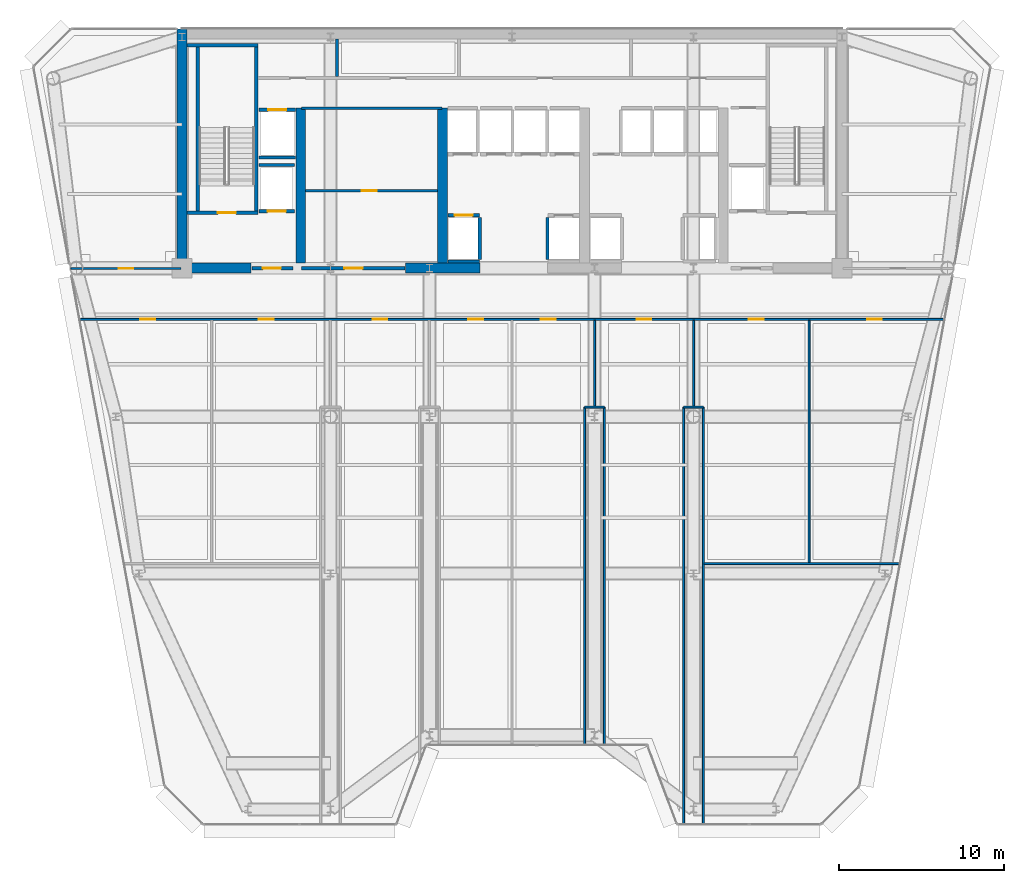
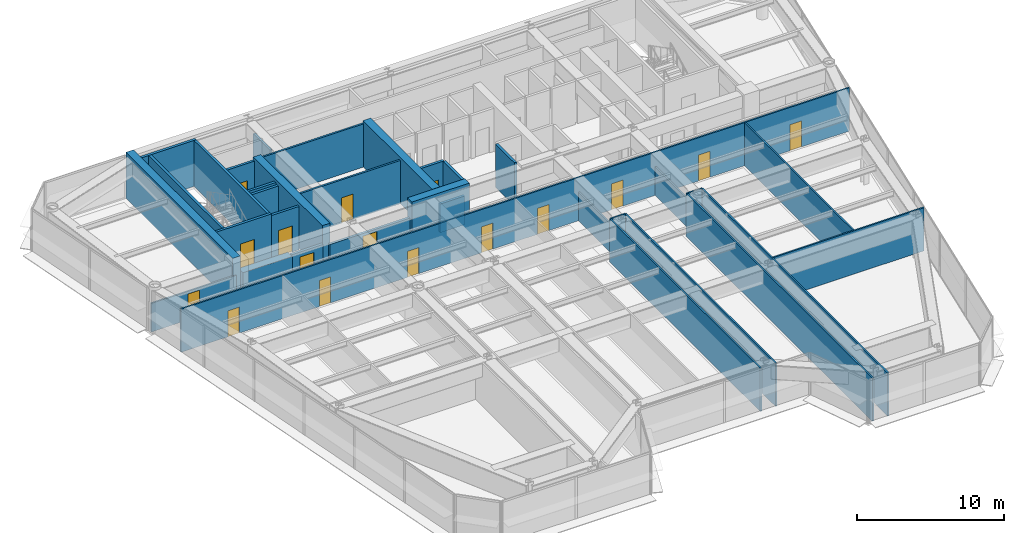
# One storey, part 11 of 17: 34 walls, 16 doors, 16 openings.
"""IFC4 building model written with IfcOpenShell, lengths in metres."""

from ifc_helpers import new_model, si_unit, direction, frame, frame_2d, origin, place, context, subcontext, project, spatial, rectangle, extrude, source, transform, mapped, material, layer, layer_set, type_object, element, fill, save


model = new_model("IFC4")

# Units and contexts
model_context = context("Model", 3, precision=1e-05, world=origin(), true_north=direction((0.0, 1.0)))
body_context = subcontext(model_context, "Body", "Model", "MODEL_VIEW")
ifc_project = project(units=[si_unit("LENGTHUNIT", "METRE"), si_unit("AREAUNIT", "SQUARE_METRE"), si_unit("VOLUMEUNIT", "CUBIC_METRE"), si_unit("PLANEANGLEUNIT", "RADIAN"), si_unit("MASSUNIT", "GRAM", prefix="KILO")], contexts=[model_context])

# Site, building, storey
site_placement = place(None, origin())
site = spatial("IfcSite", under=ifc_project, at=site_placement, CompositionType="ELEMENT")
building_placement = place(site_placement, origin())
building = spatial("IfcBuilding", under=site, at=building_placement, Name="Vaeldorn Concourse Tower", CompositionType="ELEMENT")
storey_placement = place(building_placement, frame((0.0, 0.0, 176.60009765625)))
storey = spatial("IfcBuildingStorey", under=building, at=storey_placement, Name="L45", CompositionType="ELEMENT", Elevation=176.60009765625)

# Walls
ifc_material_1 = material(Name="Concrete C50/60", Category="concrete")
ifc_layer_1 = layer(ifc_material_1, 0.60009765625)
ifc_layer_set_1 = layer_set([ifc_layer_1], Name="Concrete C50/60")
wall_type_1 = type_object("IfcWallType", Name="WL-CORE-600", PredefinedType="SHEAR", material=ifc_layer_set_1)
wall_1_placement = place(storey_placement, frame((14.0, 36.5, 0.0), z_axis=(0.0, 0.0, 1.0), x_axis=(0.0, 1.0, 0.0)))
element("IfcWall", 1, at=wall_1_placement, inside=storey, type_object=wall_type_1, Name="Rear Core Shear Wall L45 W1", PredefinedType="SHEAR", context=body_context, shape_type="SweptSolid", body=[
    extrude(rectangle(XDim=14.5, YDim=0.60009765625, at=frame_2d((7.25, 0.0))), origin(), (0.0, 0.0, 1.0), 3.7998046875),
])
wall_2_placement = place(storey_placement, frame((14.320068359375, 36.5, 0.0), z_axis=(0.0, 0.0, 1.0), x_axis=(1.0, 0.0, 0.0)))
element("IfcWall", 2, at=wall_2_placement, inside=storey, type_object=wall_type_1, Name="Rear Core Shear Wall L45 S1", PredefinedType="SHEAR", context=body_context, shape_type="SweptSolid", body=[
    extrude(rectangle(XDim=3.8798828125, YDim=0.60009765625, at=frame_2d((1.93994140625, 0.0))), origin(), (0.0, 0.0, 1.0), 2.579833984375),
])
wall_3_placement = place(storey_placement, frame((27.550048828125, 36.5, 0.0), z_axis=(0.0, 0.0, 1.0), x_axis=(1.0, 0.0, 0.0)))
element("IfcWall", 3, at=wall_3_placement, inside=storey, type_object=wall_type_1, Name="Rear Core Shear Wall L45 S2", PredefinedType="SHEAR", context=body_context, shape_type="SweptSolid", body=[
    extrude(rectangle(XDim=4.5, YDim=0.60009765625, at=frame_2d((2.25, 0.0))), origin(), (0.0, 0.0, 1.0), 3.7998046875),
])
for number, where, z_axis, x_axis, name in (
    (4, (21.199951171875, 36.820068359375, 0.0), (0.0, 0.0, 1.0), (0.0, 1.0, 0.0), "Rear Core Shear Wall L45 M1"),
    (5, (29.800048828125, 36.820068359375, 0.0), (0.0, 0.0, 1.0), (0.0, 1.0, 0.0), "Rear Core Shear Wall L45 M2"),
):
    element("IfcWall", number, at=place(storey_placement, frame(where, z_axis=z_axis, x_axis=x_axis)), inside=storey, type_object=wall_type_1, Name=name, PredefinedType="SHEAR", context=body_context, shape_type="SweptSolid", body=[
        extrude(rectangle(XDim=9.3798828125, YDim=0.60009765625, at=frame_2d((4.68994140625, 0.0))), origin(), (0.0, 0.0, 1.0), 3.7998046875),
    ])

# Wall, openings, doors
ifc_material_2 = material(Name="Gypsum Board Partition", Category="gypsum")
ifc_layer_2 = layer(ifc_material_2, 0.1201171875)
ifc_layer_set_2 = layer_set([ifc_layer_2], Name="Gypsum Board Partition")
wall_type_2 = type_object("IfcWallType", Name="WL-PART-120", PredefinedType="PARTITIONING", material=ifc_layer_set_2)
wall_4_placement = place(storey_placement, frame((7.830810546875, 33.39990234375, 0.0), z_axis=(0.0, 0.0, 1.0), x_axis=(1.0, 0.0, 0.0)))
wall_4 = element("IfcWall", 6, at=wall_4_placement, inside=storey, type_object=wall_type_2, Name="Interior Wall PW-L45-C2S", PredefinedType="PARTITIONING", context=body_context, shape_type="SweptSolid", body=[
    extrude(rectangle(XDim=52.33837890625, YDim=0.1201171875, at=frame_2d((26.169189453125, 0.0))), origin(), (0.0, 0.0, 1.0), 3.579833984375),
])
opening_1_placement = place(wall_4_placement, frame((3.655029296875, 0.0, 0.0)))
opening_1 = element("IfcOpeningElement", 7, at=opening_1_placement, cuts=wall_4, Name="Opening D-03", PredefinedType="OPENING", context=body_context, shape_type="SweptSolid", body=[
    extrude(rectangle(XDim=0.89990234375, YDim=2.14990234375, at=frame_2d((0.449951171875, 1.074951171875))), frame((0.0, 0.070068359375, 0.0), z_axis=(0.0, -1.0, 0.0), x_axis=(1.0, 0.0, 0.0)), (0.0, 0.0, 1.0), 0.14013671875),
])
opening_2_placement = place(wall_4_placement, frame((10.819091796875, 0.0, 0.0)))
opening_2 = element("IfcOpeningElement", 8, at=opening_2_placement, cuts=wall_4, Name="Opening D-03", PredefinedType="OPENING", context=body_context, shape_type="SweptSolid", body=[
    extrude(rectangle(XDim=0.89990234375, YDim=2.14990234375, at=frame_2d((0.449951171875, 1.074951171875))), frame((0.0, 0.070068359375, 0.0), z_axis=(0.0, -1.0, 0.0), x_axis=(1.0, 0.0, 0.0)), (0.0, 0.0, 1.0), 0.14013671875),
])
opening_3_placement = place(wall_4_placement, frame((17.718994140625, 0.0, 0.0)))
opening_3 = element("IfcOpeningElement", 9, at=opening_3_placement, cuts=wall_4, Name="Opening D-03", PredefinedType="OPENING", context=body_context, shape_type="SweptSolid", body=[
    extrude(rectangle(XDim=0.89990234375, YDim=2.14990234375, at=frame_2d((0.449951171875, 1.074951171875))), frame((0.0, 0.070068359375, 0.0), z_axis=(0.0, -1.0, 0.0), x_axis=(1.0, 0.0, 0.0)), (0.0, 0.0, 1.0), 0.14013671875),
])
opening_4_placement = place(wall_4_placement, frame((23.51904296875, 0.0, 0.0)))
opening_4 = element("IfcOpeningElement", 10, at=opening_4_placement, cuts=wall_4, Name="Opening D-03", PredefinedType="OPENING", context=body_context, shape_type="SweptSolid", body=[
    extrude(rectangle(XDim=0.89990234375, YDim=2.14990234375, at=frame_2d((0.449951171875, 1.074951171875))), frame((0.0, 0.070068359375, 0.0), z_axis=(0.0, -1.0, 0.0), x_axis=(1.0, 0.0, 0.0)), (0.0, 0.0, 1.0), 0.14013671875),
])
opening_5_placement = place(wall_4_placement, frame((27.9189453125, 0.0, 0.0)))
opening_5 = element("IfcOpeningElement", 11, at=opening_5_placement, cuts=wall_4, Name="Opening D-03", PredefinedType="OPENING", context=body_context, shape_type="SweptSolid", body=[
    extrude(rectangle(XDim=0.89990234375, YDim=2.14990234375, at=frame_2d((0.449951171875, 1.074951171875))), frame((0.0, 0.070068359375, 0.0), z_axis=(0.0, -1.0, 0.0), x_axis=(1.0, 0.0, 0.0)), (0.0, 0.0, 1.0), 0.14013671875),
])
opening_6_placement = place(wall_4_placement, frame((33.718994140625, 0.0, 0.0)))
opening_6 = element("IfcOpeningElement", 12, at=opening_6_placement, cuts=wall_4, Name="Opening D-03", PredefinedType="OPENING", context=body_context, shape_type="SweptSolid", body=[
    extrude(rectangle(XDim=0.89990234375, YDim=2.14990234375, at=frame_2d((0.449951171875, 1.074951171875))), frame((0.0, 0.070068359375, 0.0), z_axis=(0.0, -1.0, 0.0), x_axis=(1.0, 0.0, 0.0)), (0.0, 0.0, 1.0), 0.14013671875),
])
opening_7_placement = place(wall_4_placement, frame((40.51904296875, 0.0, 0.0)))
opening_7 = element("IfcOpeningElement", 13, at=opening_7_placement, cuts=wall_4, Name="Opening D-03", PredefinedType="OPENING", context=body_context, shape_type="SweptSolid", body=[
    extrude(rectangle(XDim=0.89990234375, YDim=2.14990234375, at=frame_2d((0.449951171875, 1.074951171875))), frame((0.0, 0.070068359375, 0.0), z_axis=(0.0, -1.0, 0.0), x_axis=(1.0, 0.0, 0.0)), (0.0, 0.0, 1.0), 0.14013671875),
])
opening_8_placement = place(wall_4_placement, frame((47.68408203125, 0.0, 0.0)))
opening_8 = element("IfcOpeningElement", 14, at=opening_8_placement, cuts=wall_4, Name="Opening D-03", PredefinedType="OPENING", context=body_context, shape_type="SweptSolid", body=[
    extrude(rectangle(XDim=0.89990234375, YDim=2.14990234375, at=frame_2d((0.449951171875, 1.074951171875))), frame((0.0, 0.070068359375, 0.0), z_axis=(0.0, -1.0, 0.0), x_axis=(1.0, 0.0, 0.0)), (0.0, 0.0, 1.0), 0.14013671875),
])
ifc_material_3 = material(Name="Acoustic Bronze-Framed Glass Door", Category="glass")
door_type_1 = type_object("IfcDoorType", Name="DR-INT-900", OperationType="NOTDEFINED", PredefinedType="DOOR", material=ifc_material_3)
shared_shape_1 = source(origin(), body_context, "Body", "SweptSolid", [
    extrude(rectangle(XDim=0.89990234375, YDim=2.14990234375, at=frame_2d((0.449951171875, 1.074951171875))), frame((0.0, 0.02490234375, 0.0), z_axis=(0.0, -1.0, 0.0), x_axis=(1.0, 0.0, 0.0)), (0.0, 0.0, 1.0), 0.050048828125),
])
door_1_placement = place(opening_1_placement, origin())
door_1 = element("IfcDoor", 15, at=door_1_placement, inside=storey, type_object=door_type_1, Name="Interior Door DR-L45-SBR1", OperationType="SINGLE_SWING_LEFT", OverallHeight=2.14990234375, OverallWidth=0.89990234375, PredefinedType="DOOR", context=body_context, shape_type="MappedRepresentation", body=[
    mapped(shared_shape_1, transform((0.0, 0.0, 0.0), scale=1.0)),
])
fill(opening_1, door_1)
door_2_placement = place(opening_2_placement, origin())
door_2 = element("IfcDoor", 16, at=door_2_placement, inside=storey, type_object=door_type_1, Name="Interior Door DR-L45-SBR2", OperationType="SINGLE_SWING_RIGHT", OverallHeight=2.14990234375, OverallWidth=0.89990234375, PredefinedType="DOOR", context=body_context, shape_type="MappedRepresentation", body=[
    mapped(shared_shape_1, transform((0.0, 0.0, 0.0), scale=1.0)),
])
fill(opening_2, door_2)
door_3_placement = place(opening_3_placement, origin())
door_3 = element("IfcDoor", 17, at=door_3_placement, inside=storey, type_object=door_type_1, Name="Interior Door DR-L45-SBR3", OperationType="SINGLE_SWING_LEFT", OverallHeight=2.14990234375, OverallWidth=0.89990234375, PredefinedType="DOOR", context=body_context, shape_type="MappedRepresentation", body=[
    mapped(shared_shape_1, transform((0.0, 0.0, 0.0), scale=1.0)),
])
fill(opening_3, door_3)
door_4_placement = place(opening_4_placement, origin())
door_4 = element("IfcDoor", 18, at=door_4_placement, inside=storey, type_object=door_type_1, Name="Interior Door DR-L45-SBR4", OperationType="SINGLE_SWING_RIGHT", OverallHeight=2.14990234375, OverallWidth=0.89990234375, PredefinedType="DOOR", context=body_context, shape_type="MappedRepresentation", body=[
    mapped(shared_shape_1, transform((0.0, 0.0, 0.0), scale=1.0)),
])
fill(opening_4, door_4)
door_5_placement = place(opening_5_placement, origin())
door_5 = element("IfcDoor", 19, at=door_5_placement, inside=storey, type_object=door_type_1, Name="Interior Door DR-L45-SBR5", OperationType="SINGLE_SWING_LEFT", OverallHeight=2.14990234375, OverallWidth=0.89990234375, PredefinedType="DOOR", context=body_context, shape_type="MappedRepresentation", body=[
    mapped(shared_shape_1, transform((0.0, 0.0, 0.0), scale=1.0)),
])
fill(opening_5, door_5)
door_6_placement = place(opening_6_placement, origin())
door_6 = element("IfcDoor", 20, at=door_6_placement, inside=storey, type_object=door_type_1, Name="Interior Door DR-L45-SBR6", OperationType="SINGLE_SWING_RIGHT", OverallHeight=2.14990234375, OverallWidth=0.89990234375, PredefinedType="DOOR", context=body_context, shape_type="MappedRepresentation", body=[
    mapped(shared_shape_1, transform((0.0, 0.0, 0.0), scale=1.0)),
])
fill(opening_6, door_6)
door_7_placement = place(opening_7_placement, origin())
door_7 = element("IfcDoor", 21, at=door_7_placement, inside=storey, type_object=door_type_1, Name="Interior Door DR-L45-SBR7", OperationType="SINGLE_SWING_LEFT", OverallHeight=2.14990234375, OverallWidth=0.89990234375, PredefinedType="DOOR", context=body_context, shape_type="MappedRepresentation", body=[
    mapped(shared_shape_1, transform((0.0, 0.0, 0.0), scale=1.0)),
])
fill(opening_7, door_7)
door_8_placement = place(opening_8_placement, origin())
door_8 = element("IfcDoor", 22, at=door_8_placement, inside=storey, type_object=door_type_1, Name="Interior Door DR-L45-SBR8", OperationType="SINGLE_SWING_RIGHT", OverallHeight=2.14990234375, OverallWidth=0.89990234375, PredefinedType="DOOR", context=body_context, shape_type="MappedRepresentation", body=[
    mapped(shared_shape_1, transform((0.0, 0.0, 0.0), scale=1.0)),
])
fill(opening_8, door_8)

# Wall, opening, door
wall_5_placement = place(storey_placement, frame((7.2744140625, 36.47998046875, 0.0), z_axis=(0.0, 0.0, 1.0), x_axis=(1.0, 0.0, 0.0)))
wall_5 = element("IfcWall", 23, at=wall_5_placement, inside=storey, type_object=wall_type_2, Name="Interior Wall PW-L45-NWS", PredefinedType="PARTITIONING", context=body_context, shape_type="SweptSolid", body=[
    extrude(rectangle(XDim=6.66552734375, YDim=0.1201171875, at=frame_2d((3.332763671875, 0.0))), origin(), (0.0, 0.0, 1.0), 2.369873046875),
])
opening_9_placement = place(wall_5_placement, frame((2.883056640625, 0.0, 0.0)))
opening_9 = element("IfcOpeningElement", 24, at=opening_9_placement, cuts=wall_5, Name="Opening D-03", PredefinedType="OPENING", context=body_context, shape_type="SweptSolid", body=[
    extrude(rectangle(XDim=0.89990234375, YDim=2.14990234375, at=frame_2d((0.449951171875, 1.074951171875))), frame((0.0, 0.070068359375, 0.0), z_axis=(0.0, -1.0, 0.0), x_axis=(1.0, 0.0, 0.0)), (0.0, 0.0, 1.0), 0.14013671875),
])
door_9_placement = place(opening_9_placement, origin())
door_9 = element("IfcDoor", 25, at=door_9_placement, inside=storey, type_object=door_type_1, Name="Interior Door DR-L45-NWC", OperationType="SINGLE_SWING_LEFT", OverallHeight=2.14990234375, OverallWidth=0.89990234375, PredefinedType="DOOR", context=body_context, shape_type="MappedRepresentation", body=[
    mapped(shared_shape_1, transform((0.0, 0.0, 0.0), scale=1.0)),
])
fill(opening_9, door_9)

# Walls
wall_6_placement = place(storey_placement, frame((45.639892578125, 18.60009765625, 0.0), z_axis=(0.0, 0.0, 1.0), x_axis=(1.0, 0.0, 0.0)))
element("IfcWall", 26, at=wall_6_placement, inside=storey, type_object=wall_type_2, Name="Interior Wall PW-L45-FLE", PredefinedType="PARTITIONING", context=body_context, shape_type="SweptSolid", body=[
    extrude(rectangle(XDim=11.82958984375, YDim=0.1201171875, at=frame_2d((5.914794921875, 0.0))), origin(), (0.0, 0.0, 1.0), 3.579833984375),
])
for number, where, z_axis, x_axis, name in (
    (27, (38.39990234375, 7.639892578125, 0.0), (0.0, 0.0, 1.0), (0.0, 1.0, 0.0), "Interior Wall PW-L45-SB3W"),
    (28, (39.60009765625, 7.639892578125, 0.0), (0.0, 0.0, 1.0), (0.0, 1.0, 0.0), "Interior Wall PW-L45-SB3E"),
):
    element("IfcWall", number, at=place(storey_placement, frame(where, z_axis=z_axis, x_axis=x_axis)), inside=storey, type_object=wall_type_2, Name=name, PredefinedType="PARTITIONING", context=body_context, shape_type="SweptSolid", body=[
        extrude(rectangle(XDim=20.440185546875, YDim=0.1201171875, at=frame_2d((10.22021484375, 0.0))), origin(), (0.0, 0.0, 1.0), 3.579833984375),
    ])
wall_7_placement = place(storey_placement, frame((38.39990234375, 28.080078125, 0.0), z_axis=(0.0, 0.0, 1.0), x_axis=(1.0, 0.0, 0.0)))
element("IfcWall", 29, at=wall_7_placement, inside=storey, type_object=wall_type_2, Name="Interior Wall PW-L45-SB3N", PredefinedType="PARTITIONING", context=body_context, shape_type="SweptSolid", body=[
    extrude(rectangle(XDim=1.2001953125, YDim=0.1201171875, at=frame_2d((0.60009765625, 0.0))), origin(), (0.0, 0.0, 1.0), 3.579833984375),
])
wall_8_placement = place(storey_placement, frame((39.0, 28.139892578125, 0.0), z_axis=(0.0, 0.0, 1.0), x_axis=(0.0, 1.0, 0.0)))
element("IfcWall", 30, at=wall_8_placement, inside=storey, type_object=wall_type_2, Name="Interior Wall PW-L45-SBP3", PredefinedType="PARTITIONING", context=body_context, shape_type="SweptSolid", body=[
    extrude(rectangle(XDim=5.2001953125, YDim=0.1201171875, at=frame_2d((2.60009765625, 0.0))), origin(), (0.0, 0.0, 1.0), 2.369873046875),
])
for number, where, z_axis, x_axis, name in (
    (31, (44.39990234375, 2.840087890625, 0.0), (0.0, 0.0, 1.0), (0.0, 1.0, 0.0), "Interior Wall PW-L45-SB4W"),
    (32, (45.60009765625, 2.840087890625, 0.0), (0.0, 0.0, 1.0), (0.0, 1.0, 0.0), "Interior Wall PW-L45-SB4E"),
):
    element("IfcWall", number, at=place(storey_placement, frame(where, z_axis=z_axis, x_axis=x_axis)), inside=storey, type_object=wall_type_2, Name=name, PredefinedType="PARTITIONING", context=body_context, shape_type="SweptSolid", body=[
        extrude(rectangle(XDim=25.239990234375, YDim=0.1201171875, at=frame_2d((12.6201171875, 0.0))), origin(), (0.0, 0.0, 1.0), 3.579833984375),
    ])
wall_9_placement = place(storey_placement, frame((44.39990234375, 28.080078125, 0.0), z_axis=(0.0, 0.0, 1.0), x_axis=(1.0, 0.0, 0.0)))
element("IfcWall", 33, at=wall_9_placement, inside=storey, type_object=wall_type_2, Name="Interior Wall PW-L45-SB4N", PredefinedType="PARTITIONING", context=body_context, shape_type="SweptSolid", body=[
    extrude(rectangle(XDim=1.2001953125, YDim=0.1201171875, at=frame_2d((0.60009765625, 0.0))), origin(), (0.0, 0.0, 1.0), 3.579833984375),
])
wall_10_placement = place(storey_placement, frame((45.0, 28.139892578125, 0.0), z_axis=(0.0, 0.0, 1.0), x_axis=(0.0, 1.0, 0.0)))
element("IfcWall", 34, at=wall_10_placement, inside=storey, type_object=wall_type_2, Name="Interior Wall PW-L45-SBP4", PredefinedType="PARTITIONING", context=body_context, shape_type="SweptSolid", body=[
    extrude(rectangle(XDim=5.2001953125, YDim=0.1201171875, at=frame_2d((2.60009765625, 0.0))), origin(), (0.0, 0.0, 1.0), 2.369873046875),
])
wall_11_placement = place(storey_placement, frame((52.0, 18.639892578125, 0.0), z_axis=(0.0, 0.0, 1.0), x_axis=(0.0, 1.0, 0.0)))
element("IfcWall", 35, at=wall_11_placement, inside=storey, type_object=wall_type_2, Name="Interior Wall PW-L45-SBX7", PredefinedType="PARTITIONING", context=body_context, shape_type="SweptSolid", body=[
    extrude(rectangle(XDim=14.7001953125, YDim=0.1201171875, at=frame_2d((7.35009765625, 0.0))), origin(), (0.0, 0.0, 1.0), 3.579833984375),
])
ifc_layer_3 = layer(ifc_material_2, 0.14990234375)
ifc_layer_set_3 = layer_set([ifc_layer_3], Name="Gypsum Board Partition")
wall_type_3 = type_object("IfcWallType", Name="WL-PART-150", PredefinedType="PARTITIONING", material=ifc_layer_set_3)
wall_12_placement = place(storey_placement, frame((21.25, 46.199951171875, 0.0), z_axis=(0.0, 0.0, 1.0), x_axis=(1.0, 0.0, 0.0)))
element("IfcWall", 36, at=wall_12_placement, inside=storey, type_object=wall_type_3, Name="Interior Wall CW-L45-R1N", PredefinedType="PARTITIONING", context=body_context, shape_type="SweptSolid", body=[
    extrude(rectangle(XDim=8.5, YDim=0.14990234375, at=frame_2d((4.25, 0.0))), origin(), (0.0, 0.0, 1.0), 3.579833984375),
])

# Wall, opening, door
wall_13_placement = place(storey_placement, frame((21.5, 41.199951171875, 0.0), z_axis=(0.0, 0.0, 1.0), x_axis=(1.0, 0.0, 0.0)))
wall_13 = element("IfcWall", 37, at=wall_13_placement, inside=storey, type_object=wall_type_3, Name="Interior Wall CW-L45-R1M", PredefinedType="PARTITIONING", context=body_context, shape_type="SweptSolid", body=[
    extrude(rectangle(XDim=8.0, YDim=0.14990234375, at=frame_2d((4.0, 0.0))), origin(), (0.0, 0.0, 1.0), 3.579833984375),
])
opening_10_placement = place(wall_13_placement, frame((3.39990234375, 0.0, 0.0)))
opening_10 = element("IfcOpeningElement", 38, at=opening_10_placement, cuts=wall_13, Name="Opening D-02", PredefinedType="OPENING", context=body_context, shape_type="SweptSolid", body=[
    extrude(rectangle(XDim=0.89990234375, YDim=2.10009765625, at=frame_2d((0.449951171875, 1.050048828125))), frame((0.0, 0.0849609375, 0.0), z_axis=(0.0, -1.0, 0.0), x_axis=(1.0, 0.0, 0.0)), (0.0, 0.0, 1.0), 0.169921875),
])
ifc_material_4 = material(Name="Fire-Rated Timber Leaf", Category="wood")
door_type_2 = type_object("IfcDoorType", Name="DR-FD30-900", OperationType="NOTDEFINED", PredefinedType="DOOR", material=ifc_material_4)
shared_shape_2 = source(origin(), body_context, "Body", "SweptSolid", [
    extrude(rectangle(XDim=0.89990234375, YDim=2.10009765625, at=frame_2d((0.449951171875, 1.050048828125))), frame((0.0, 0.02490234375, 0.0), z_axis=(0.0, -1.0, 0.0), x_axis=(1.0, 0.0, 0.0)), (0.0, 0.0, 1.0), 0.050048828125),
])
door_10_placement = place(opening_10_placement, origin())
door_10 = element("IfcDoor", 39, at=door_10_placement, inside=storey, type_object=door_type_2, Name="Interior Door DR-L45-R1M", OperationType="SINGLE_SWING_RIGHT", OverallHeight=2.10009765625, OverallWidth=0.89990234375, PredefinedType="DOOR", context=body_context, shape_type="MappedRepresentation", body=[
    mapped(shared_shape_2, transform((0.0, 0.0, 0.0), scale=1.0)),
])
fill(opening_10, door_10)

# Wall
ifc_layer_4 = layer(ifc_material_2, 0.179931640625)
ifc_layer_set_4 = layer_set([ifc_layer_4], Name="Gypsum Board Partition")
wall_type_4 = type_object("IfcWallType", Name="WL-PLUMB-180", PredefinedType="PLUMBINGWALL", material=ifc_layer_set_4)
wall_14_placement = place(storey_placement, frame((23.39990234375, 48.10009765625, 0.0), z_axis=(0.0, 0.0, 1.0), x_axis=(0.0, 1.0, 0.0)))
element("IfcWall", 40, at=wall_14_placement, inside=storey, type_object=wall_type_4, Name="Interior Wall CW-L45-NDIV1", PredefinedType="PLUMBINGWALL", context=body_context, shape_type="SweptSolid", body=[
    extrude(rectangle(XDim=2.27978515625, YDim=0.179931640625, at=frame_2d((1.139892578125, 0.0))), origin(), (0.0, 0.0, 1.0), 2.369873046875),
])

# Wall, opening, door
ifc_layer_5 = layer(ifc_material_1, 0.199951171875)
ifc_layer_set_5 = layer_set([ifc_layer_5], Name="Concrete C50/60")
wall_type_5 = type_object("IfcWallType", Name="WL-SHAFT-200", PredefinedType="SOLIDWALL", material=ifc_layer_set_5)
wall_15_placement = place(storey_placement, frame((14.300048828125, 39.85009765625, 0.0), z_axis=(0.0, 0.0, 1.0), x_axis=(1.0, 0.0, 0.0)))
wall_15 = element("IfcWall", 41, at=wall_15_placement, inside=storey, type_object=wall_type_5, Name="Stair Shaft Wall CW-L45-ST-1-S", PredefinedType="SOLIDWALL", context=body_context, shape_type="SweptSolid", body=[
    extrude(rectangle(XDim=4.300048828125, YDim=0.199951171875, at=frame_2d((2.14990234375, 0.0))), origin(), (0.0, 0.0, 1.0), 3.7998046875),
])
opening_11_placement = place(wall_15_placement, frame((1.875, 0.0, 0.0)))
opening_11 = element("IfcOpeningElement", 42, at=opening_11_placement, cuts=wall_15, Name="Opening D-01", PredefinedType="OPENING", context=body_context, shape_type="SweptSolid", body=[
    extrude(rectangle(XDim=1.10009765625, YDim=2.14990234375, at=frame_2d((0.550048828125, 1.074951171875))), frame((0.0, 0.10986328125, 0.0), z_axis=(0.0, -1.0, 0.0), x_axis=(1.0, 0.0, 0.0)), (0.0, 0.0, 1.0), 0.219970703125),
])
ifc_material_5 = material(Name="Fire-Rated Timber and Steel Leaf", Category="steel")
door_type_3 = type_object("IfcDoorType", Name="DR-FD60-1100", OperationType="NOTDEFINED", PredefinedType="DOOR", material=ifc_material_5)
shared_shape_3 = source(origin(), body_context, "Body", "SweptSolid", [
    extrude(rectangle(XDim=1.10009765625, YDim=2.14990234375, at=frame_2d((0.550048828125, 1.074951171875))), frame((0.0, 0.02490234375, 0.0), z_axis=(0.0, -1.0, 0.0), x_axis=(1.0, 0.0, 0.0)), (0.0, 0.0, 1.0), 0.050048828125),
])
door_11_placement = place(opening_11_placement, origin())
door_11 = element("IfcDoor", 43, at=door_11_placement, inside=storey, type_object=door_type_3, Name="Interior Door DR-L45-ST-1", OperationType="SINGLE_SWING_LEFT", OverallHeight=2.14990234375, OverallWidth=1.10009765625, PredefinedType="DOOR", context=body_context, shape_type="MappedRepresentation", body=[
    mapped(shared_shape_3, transform((0.0, 0.0, 0.0), scale=1.0)),
])
fill(opening_11, door_11)

# Walls
wall_16_placement = place(storey_placement, frame((14.300048828125, 50.0, 0.0), z_axis=(0.0, 0.0, 1.0), x_axis=(1.0, 0.0, 0.0)))
element("IfcWall", 44, at=wall_16_placement, inside=storey, type_object=wall_type_5, Name="Stair Shaft Wall CW-L45-ST-1-N", PredefinedType="SOLIDWALL", context=body_context, shape_type="SweptSolid", body=[
    extrude(rectangle(XDim=4.300048828125, YDim=0.199951171875, at=frame_2d((2.14990234375, 0.0))), origin(), (0.0, 0.0, 1.0), 3.7998046875),
])
for number, where, z_axis, x_axis, name in (
    (45, (14.949951171875, 39.9599609375, 0.0), (0.0, 0.0, 1.0), (0.0, 1.0, 0.0), "Stair Shaft Wall CW-L45-ST-1-W"),
    (46, (18.5, 39.9599609375, 0.0), (0.0, 0.0, 1.0), (0.0, 1.0, 0.0), "Stair Shaft Wall CW-L45-ST-1-E"),
):
    element("IfcWall", number, at=place(storey_placement, frame(where, z_axis=z_axis, x_axis=x_axis)), inside=storey, type_object=wall_type_5, Name=name, PredefinedType="SOLIDWALL", context=body_context, shape_type="SweptSolid", body=[
        extrude(rectangle(XDim=9.929931640625, YDim=0.199951171875, at=frame_2d((4.96484375, 0.0))), origin(), (0.0, 0.0, 1.0), 3.7998046875),
    ])

# Wall, opening, door
wall_17_placement = place(storey_placement, frame((18.25, 36.5, 0.0), z_axis=(0.0, 0.0, 1.0), x_axis=(1.0, 0.0, 0.0)))
wall_17 = element("IfcWall", 47, at=wall_17_placement, inside=storey, type_object=wall_type_5, Name="Interior Wall CW-L45-FF1S", PredefinedType="SOLIDWALL", context=body_context, shape_type="SweptSolid", body=[
    extrude(rectangle(XDim=2.469970703125, YDim=0.199951171875, at=frame_2d((1.23486328125, 0.0))), origin(), (0.0, 0.0, 1.0), 2.56982421875),
])
opening_12_placement = place(wall_17_placement, frame((0.64990234375, 0.0, 0.0)))
opening_12 = element("IfcOpeningElement", 48, at=opening_12_placement, cuts=wall_17, Name="Opening D-01", PredefinedType="OPENING", context=body_context, shape_type="SweptSolid", body=[
    extrude(rectangle(XDim=1.10009765625, YDim=2.14990234375, at=frame_2d((0.550048828125, 1.074951171875))), frame((0.0, 0.10986328125, 0.0), z_axis=(0.0, -1.0, 0.0), x_axis=(1.0, 0.0, 0.0)), (0.0, 0.0, 1.0), 0.219970703125),
])
door_12_placement = place(opening_12_placement, origin())
door_12 = element("IfcDoor", 49, at=door_12_placement, inside=storey, type_object=door_type_3, Name="Interior Door DR-L45-FF1E", OperationType="SINGLE_SWING_RIGHT", OverallHeight=2.14990234375, OverallWidth=1.10009765625, PredefinedType="DOOR", context=body_context, shape_type="MappedRepresentation", body=[
    mapped(shared_shape_3, transform((0.0, 0.0, 0.0), scale=1.0)),
])
fill(opening_12, door_12)

wall_18_placement = place(storey_placement, frame((30.110107421875, 39.699951171875, 0.0), z_axis=(0.0, 0.0, 1.0), x_axis=(1.0, 0.0, 0.0)))
wall_18 = element("IfcWall", 50, at=wall_18_placement, inside=storey, type_object=wall_type_5, Name="Interior Wall CW-L45-LF-LF-07", PredefinedType="SOLIDWALL", context=body_context, shape_type="SweptSolid", body=[
    extrude(rectangle(XDim=1.919921875, YDim=0.199951171875, at=frame_2d((0.9599609375, 0.0))), origin(), (0.0, 0.0, 1.0), 3.579833984375),
])
opening_13_placement = place(wall_18_placement, frame((0.409912109375, 0.0, 0.0)))
opening_13 = element("IfcOpeningElement", 51, at=opening_13_placement, cuts=wall_18, Name="Opening LD-1", PredefinedType="OPENING", context=body_context, shape_type="SweptSolid", body=[
    extrude(rectangle(XDim=1.10009765625, YDim=2.14990234375, at=frame_2d((0.550048828125, 1.074951171875))), frame((0.0, 0.10986328125, 0.0), z_axis=(0.0, -1.0, 0.0), x_axis=(1.0, 0.0, 0.0)), (0.0, 0.0, 1.0), 0.219970703125),
])
ifc_material_6 = material(Name="Anodised Bronze Aluminium", Category="aluminium")
door_type_4 = type_object("IfcDoorType", Name="DR-LIFT-SLIDE-1100", OperationType="DOUBLE_DOOR_SLIDING", PredefinedType="DOOR", material=ifc_material_6)
door_13_placement = place(opening_13_placement, origin())
door_13 = element("IfcDoor", 52, at=door_13_placement, inside=storey, type_object=door_type_4, Name="Lift Landing Door LD-L45-LF-07", OperationType="DOUBLE_DOOR_SLIDING", OverallHeight=2.14990234375, OverallWidth=1.10009765625, PredefinedType="DOOR", context=body_context, shape_type="MappedRepresentation", body=[
    mapped(shared_shape_3, transform((0.0, 0.0, 0.0), scale=1.0)),
])
fill(opening_13, door_13)

# Walls
wall_19_placement = place(storey_placement, frame((30.110107421875, 36.89990234375, 0.0), z_axis=(0.0, 0.0, 1.0), x_axis=(1.0, 0.0, 0.0)))
element("IfcWall", 53, at=wall_19_placement, inside=storey, type_object=wall_type_5, Name="Interior Wall CW-L45-LFB-LF-07", PredefinedType="SOLIDWALL", context=body_context, shape_type="SweptSolid", body=[
    extrude(rectangle(XDim=1.919921875, YDim=0.199951171875, at=frame_2d((0.9599609375, 0.0))), origin(), (0.0, 0.0, 1.0), 2.369873046875),
])
for number, where, z_axis, x_axis, name in (
    (54, (32.050048828125, 37.02001953125, 0.0), (0.0, 0.0, 1.0), (0.0, 1.0, 0.0), "Interior Wall CW-L45-LFE-LF-07"),
    (55, (36.14990234375, 37.02001953125, 0.0), (0.0, 0.0, 1.0), (0.0, 1.0, 0.0), "Interior Wall CW-L45-LFW-LF-08"),
):
    element("IfcWall", number, at=place(storey_placement, frame(where, z_axis=z_axis, x_axis=x_axis)), inside=storey, type_object=wall_type_5, Name=name, PredefinedType="SOLIDWALL", context=body_context, shape_type="SweptSolid", body=[
        extrude(rectangle(XDim=2.56005859375, YDim=0.199951171875, at=frame_2d((1.280029296875, 0.0))), origin(), (0.0, 0.0, 1.0), 3.579833984375),
    ])

# Wall, opening, door
wall_20_placement = place(storey_placement, frame((18.669921875, 46.10009765625, 0.0), z_axis=(0.0, 0.0, 1.0), x_axis=(1.0, 0.0, 0.0)))
wall_20 = element("IfcWall", 56, at=wall_20_placement, inside=storey, type_object=wall_type_5, Name="Interior Wall CW-L45-LF-LF-SV1", PredefinedType="SOLIDWALL", context=body_context, shape_type="SweptSolid", body=[
    extrude(rectangle(XDim=2.219970703125, YDim=0.199951171875, at=frame_2d((1.10986328125, 0.0))), origin(), (0.0, 0.0, 1.0), 3.579833984375),
])
opening_14_placement = place(wall_20_placement, frame((0.56005859375, 0.0, 0.0)))
opening_14 = element("IfcOpeningElement", 57, at=opening_14_placement, cuts=wall_20, Name="Opening LD-1", PredefinedType="OPENING", context=body_context, shape_type="SweptSolid", body=[
    extrude(rectangle(XDim=1.10009765625, YDim=2.14990234375, at=frame_2d((0.550048828125, 1.074951171875))), frame((0.0, 0.10986328125, 0.0), z_axis=(0.0, -1.0, 0.0), x_axis=(1.0, 0.0, 0.0)), (0.0, 0.0, 1.0), 0.219970703125),
])
door_14_placement = place(opening_14_placement, origin())
door_14 = element("IfcDoor", 58, at=door_14_placement, inside=storey, type_object=door_type_4, Name="Lift Landing Door LD-L45-LF-SV1", OperationType="DOUBLE_DOOR_SLIDING", OverallHeight=2.14990234375, OverallWidth=1.10009765625, PredefinedType="DOOR", context=body_context, shape_type="MappedRepresentation", body=[
    mapped(shared_shape_3, transform((0.0, 0.0, 0.0), scale=1.0)),
])
fill(opening_14, door_14)

# Wall
wall_21_placement = place(storey_placement, frame((18.669921875, 43.199951171875, 0.0), z_axis=(0.0, 0.0, 1.0), x_axis=(1.0, 0.0, 0.0)))
element("IfcWall", 59, at=wall_21_placement, inside=storey, type_object=wall_type_5, Name="Interior Wall CW-L45-LFB-LF-SV1", PredefinedType="SOLIDWALL", context=body_context, shape_type="SweptSolid", body=[
    extrude(rectangle(XDim=2.219970703125, YDim=0.199951171875, at=frame_2d((1.10986328125, 0.0))), origin(), (0.0, 0.0, 1.0), 3.579833984375),
])

# Wall, opening, door
wall_22_placement = place(storey_placement, frame((18.669921875, 39.949951171875, 0.0), z_axis=(0.0, 0.0, 1.0), x_axis=(1.0, 0.0, 0.0)))
wall_22 = element("IfcWall", 60, at=wall_22_placement, inside=storey, type_object=wall_type_5, Name="Interior Wall CW-L45-LF-LF-FF1", PredefinedType="SOLIDWALL", context=body_context, shape_type="SweptSolid", body=[
    extrude(rectangle(XDim=2.16015625, YDim=0.199951171875, at=frame_2d((1.080078125, 0.0))), origin(), (0.0, 0.0, 1.0), 3.579833984375),
])
opening_15_placement = place(wall_22_placement, frame((0.530029296875, 0.0, 0.0)))
opening_15 = element("IfcOpeningElement", 61, at=opening_15_placement, cuts=wall_22, Name="Opening LD-1", PredefinedType="OPENING", context=body_context, shape_type="SweptSolid", body=[
    extrude(rectangle(XDim=1.10009765625, YDim=2.14990234375, at=frame_2d((0.550048828125, 1.074951171875))), frame((0.0, 0.10986328125, 0.0), z_axis=(0.0, -1.0, 0.0), x_axis=(1.0, 0.0, 0.0)), (0.0, 0.0, 1.0), 0.219970703125),
])
door_15_placement = place(opening_15_placement, origin())
door_15 = element("IfcDoor", 62, at=door_15_placement, inside=storey, type_object=door_type_4, Name="Lift Landing Door LD-L45-LF-FF1", OperationType="DOUBLE_DOOR_SLIDING", OverallHeight=2.14990234375, OverallWidth=1.10009765625, PredefinedType="DOOR", context=body_context, shape_type="MappedRepresentation", body=[
    mapped(shared_shape_3, transform((0.0, 0.0, 0.0), scale=1.0)),
])
fill(opening_15, door_15)

# Wall
wall_23_placement = place(storey_placement, frame((18.669921875, 42.75, 0.0), z_axis=(0.0, 0.0, 1.0), x_axis=(1.0, 0.0, 0.0)))
element("IfcWall", 63, at=wall_23_placement, inside=storey, type_object=wall_type_5, Name="Interior Wall CW-L45-LFB-LF-FF1", PredefinedType="SOLIDWALL", context=body_context, shape_type="SweptSolid", body=[
    extrude(rectangle(XDim=2.16015625, YDim=0.199951171875, at=frame_2d((1.080078125, 0.0))), origin(), (0.0, 0.0, 1.0), 3.579833984375),
])

# Wall, opening, door
wall_24_placement = place(storey_placement, frame((21.25, 36.5, 0.0), z_axis=(0.0, 0.0, 1.0), x_axis=(1.0, 0.0, 0.0)))
wall_24 = element("IfcWall", 64, at=wall_24_placement, inside=storey, type_object=wall_type_5, Name="Interior Wall CW-L45-R1S", PredefinedType="SOLIDWALL", context=body_context, shape_type="SweptSolid", body=[
    extrude(rectangle(XDim=6.27001953125, YDim=0.199951171875, at=frame_2d((3.135009765625, 0.0))), origin(), (0.0, 0.0, 1.0), 2.369873046875),
])
opening_16_placement = place(wall_24_placement, frame((2.60009765625, 0.0, 0.0)))
opening_16 = element("IfcOpeningElement", 65, at=opening_16_placement, cuts=wall_24, Name="Opening D-01", PredefinedType="OPENING", context=body_context, shape_type="SweptSolid", body=[
    extrude(rectangle(XDim=1.10009765625, YDim=2.14990234375, at=frame_2d((0.550048828125, 1.074951171875))), frame((0.0, 0.10986328125, 0.0), z_axis=(0.0, -1.0, 0.0), x_axis=(1.0, 0.0, 0.0)), (0.0, 0.0, 1.0), 0.219970703125),
])
door_16_placement = place(opening_16_placement, origin())
door_16 = element("IfcDoor", 66, at=door_16_placement, inside=storey, type_object=door_type_3, Name="Interior Door DR-L45-R1S", OperationType="SINGLE_SWING_LEFT", OverallHeight=2.14990234375, OverallWidth=1.10009765625, PredefinedType="DOOR", context=body_context, shape_type="MappedRepresentation", body=[
    mapped(shared_shape_3, transform((0.0, 0.0, 0.0), scale=1.0)),
])
fill(opening_16, door_16)

save(model, "model.ifc")
